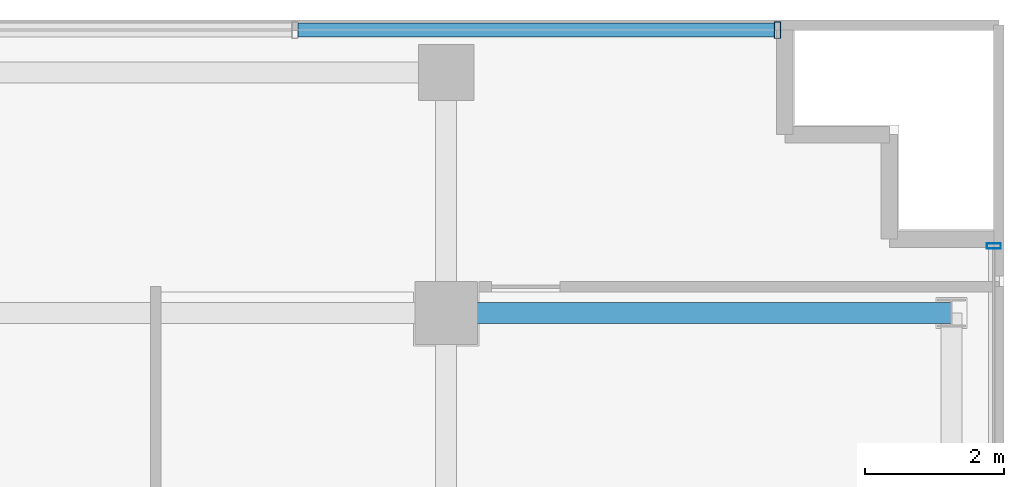
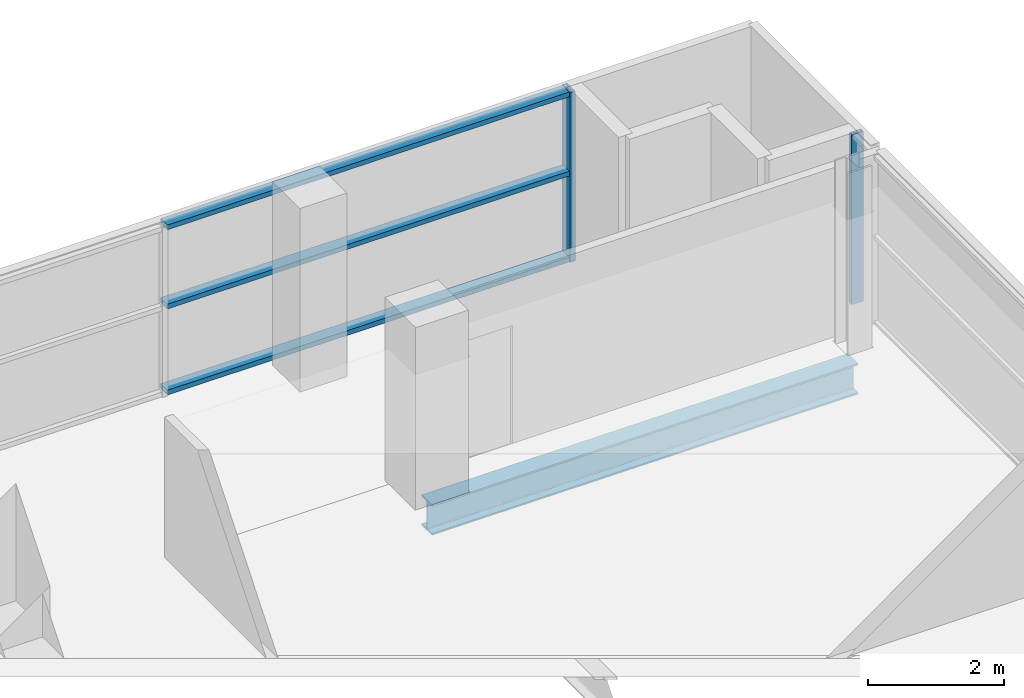
# One storey, part 13 of 23: 5 members, 1 beam, 2 elements without a shape of their own.
"""IFC4 building model written with IfcOpenShell, lengths in metres."""

from ifc_helpers import new_model, si_unit, direction, frame, origin, origin_2d, place, context, subcontext, project, spatial, hollow_rectangle, i_section, extrude, source, transform, mapped, material, layer, layer_set, material_profile, profile_set, type_object, element, aggregate, save


model = new_model("IFC4")

# Units and contexts
model_context = context("Model", 3, precision=1e-05, world=origin(), true_north=direction((0.0, 1.0)))
body_context = subcontext(model_context, "Body", "Model", "MODEL_VIEW")
ifc_project = project(units=[si_unit("LENGTHUNIT", "METRE"), si_unit("AREAUNIT", "SQUARE_METRE"), si_unit("VOLUMEUNIT", "CUBIC_METRE"), si_unit("PLANEANGLEUNIT", "RADIAN"), si_unit("MASSUNIT", "GRAM", prefix="KILO")], contexts=[model_context])

# Site, building, storey
site_placement = place(None, origin())
site = spatial("IfcSite", under=ifc_project, at=site_placement, CompositionType="ELEMENT")
building_placement = place(site_placement, origin())
building = spatial("IfcBuilding", under=site, at=building_placement, Name="Zarnakvel Exchange Tower", CompositionType="ELEMENT")
storey_placement = place(building_placement, frame((0.0, 0.0, 129.699951171875)))
storey = spatial("IfcBuildingStorey", under=building, at=storey_placement, Name="L36", CompositionType="ELEMENT", Elevation=129.699951171875)

# Beam
ifc_material_1 = material(Name="Steel S355", Category="steel")
ifc_material_profile_1 = material_profile(ifc_material_1, i_section(OverallWidth=0.300048828125, OverallDepth=0.550048828125, WebThickness=0.014892578125, FlangeThickness=0.029052734375, FilletRadius=0.027099609375, at=origin_2d()))
ifc_profile_set_1 = profile_set([ifc_material_profile_1], Name="Steel S355")
beam_type = type_object("IfcBeamType", Name="G-05", PredefinedType="BEAM", material=ifc_profile_set_1)
beam_placement = place(storey_placement, frame((21.60009765625, 13.5, -0.5), z_axis=(1.0, 0.0, 0.0), x_axis=(0.0, 1.0, 0.0)))
element("IfcBeam", 1, at=beam_placement, inside=storey, type_object=beam_type, Name="L36 Tower E-W Frame Beam", PredefinedType="BEAM", context=body_context, shape_type="SweptSolid", body=[
    extrude(i_section(OverallWidth=0.300048828125, OverallDepth=0.550048828125, WebThickness=0.014892578125, FlangeThickness=0.029052734375, FilletRadius=0.027099609375, at=origin_2d()), origin(), (0.0, 0.0, 1.0), 7.25),
])

# Curtain wall, member
ifc_material_2 = material(Name="Architectural Bronze Anodised Aluminium", Category="aluminium")
ifc_layer_1 = layer(ifc_material_2, 0.239990234375)
ifc_layer_set_1 = layer_set([ifc_layer_1], Name="Architectural Bronze Anodised Aluminium")
curtain_wall_type_1 = type_object("IfcCurtainWallType", Name="CW-02", PredefinedType="NOTDEFINED", material=ifc_layer_set_1)
curtain_wall_1_placement = place(storey_placement, origin())
curtain_wall_1 = element("IfcCurtainWall", 2, at=curtain_wall_1_placement, inside=storey, type_object=curtain_wall_type_1, Name="L36 Curtain Wall CW-L36-N1 (CW-02)", PredefinedType="NOTDEFINED")
ifc_material_profile_2 = material_profile(ifc_material_2, hollow_rectangle(XDim=0.239990234375, YDim=0.090087890625, WallThickness=0.006103515625, at=origin_2d()))
ifc_profile_set_2 = profile_set([ifc_material_profile_2], Name="Architectural Bronze Anodised Aluminium")
member_type_1 = type_object("IfcMemberType", Name="CWM-02", PredefinedType="MULLION", material=ifc_profile_set_2)
shared_shape_1 = source(origin(), body_context, "Body", "SweptSolid", [
    extrude(hollow_rectangle(XDim=0.239990234375, YDim=0.090087890625, WallThickness=0.006103515625, at=origin_2d()), origin(), (0.0, 0.0, 1.0), 3.054931640625),
])
member_1_placement = place(storey_placement, frame((26.35498046875, 17.56005859375, 0.0), z_axis=(0.0, 0.0, 1.0), x_axis=(0.0, 1.0, 0.0)))
member_1 = element("IfcMember", 3, at=member_1_placement, type_object=member_type_1, Name="CW-02 mullion 8", PredefinedType="MULLION", context=body_context, shape_type="MappedRepresentation", body=[
    mapped(shared_shape_1, transform((0.0, 0.0, 0.0), x_axis=(1.0, 0.0, 0.0), y_axis=(0.0, 1.0, 0.0), z_axis=(0.0, 0.0, 1.0), scale=1.0)),
])

ifc_layer_2 = layer(ifc_material_2, 0.199951171875)
ifc_layer_set_2 = layer_set([ifc_layer_2], Name="Architectural Bronze Anodised Aluminium")
curtain_wall_type_2 = type_object("IfcCurtainWallType", Name="CW-04", PredefinedType="NOTDEFINED", material=ifc_layer_set_2)
curtain_wall_2_placement = place(storey_placement, origin())
curtain_wall_2 = element("IfcCurtainWall", 4, at=curtain_wall_2_placement, inside=storey, type_object=curtain_wall_type_2, Name="L36 Curtain Wall CW-L36-E1 (CW-04)", PredefinedType="NOTDEFINED")
ifc_material_profile_3 = material_profile(ifc_material_2, hollow_rectangle(XDim=0.199951171875, YDim=0.074951171875, WallThickness=0.0048828125, at=origin_2d()))
ifc_profile_set_3 = profile_set([ifc_material_profile_3], Name="Architectural Bronze Anodised Aluminium")
member_type_2 = type_object("IfcMemberType", Name="CWM-04", PredefinedType="MULLION", material=ifc_profile_set_3)
shared_shape_2 = source(origin(), body_context, "Body", "SweptSolid", [
    extrude(hollow_rectangle(XDim=0.199951171875, YDim=0.074951171875, WallThickness=0.0048828125, at=origin_2d()), origin(), (0.0, 0.0, 1.0), 3.054931640625),
])
member_2_placement = place(storey_placement, frame((29.4599609375, 14.46240234375, 0.0), z_axis=(0.0, 0.0, 1.0), x_axis=(-1.0, 0.0, 0.0)))
member_2 = element("IfcMember", 5, at=member_2_placement, type_object=member_type_2, Name="CW-04 mullion 5", PredefinedType="MULLION", context=body_context, shape_type="MappedRepresentation", body=[
    mapped(shared_shape_2, transform((0.0, 0.0, 0.0), x_axis=(1.0, 0.0, 0.0), y_axis=(0.0, 1.0, 0.0), z_axis=(0.0, 0.0, 1.0), scale=1.0)),
])
aggregate(curtain_wall_2, [member_2])

# Member
ifc_material_profile_4 = material_profile(ifc_material_2, hollow_rectangle(XDim=0.199951171875, YDim=0.0849609375, WallThickness=0.0048828125, at=origin_2d()))
ifc_profile_set_4 = profile_set([ifc_material_profile_4], Name="Architectural Bronze Anodised Aluminium")
member_type_3 = type_object("IfcMemberType", Name="CWT-02", PredefinedType="USERDEFINED", material=ifc_profile_set_4)
shared_shape_3 = source(origin(), body_context, "Body", "SweptSolid", [
    extrude(hollow_rectangle(XDim=0.199951171875, YDim=0.0849609375, WallThickness=0.0048828125, at=origin_2d()), origin(), (0.0, 0.0, 1.0), 6.83642578125),
])
member_3_placement = place(storey_placement, frame((19.4736328125, 17.56005859375, 0.04248046875), z_axis=(1.0, 0.0, 0.0), x_axis=(0.0, 1.0, 0.0)))
member_3 = element("IfcMember", 6, at=member_3_placement, type_object=member_type_3, Name="CW-02 transom 7.1", ObjectType="TRANSOM", PredefinedType="USERDEFINED", context=body_context, shape_type="MappedRepresentation", body=[
    mapped(shared_shape_3, transform((0.0, 0.0, 0.0), x_axis=(1.0, 0.0, 0.0), y_axis=(0.0, 1.0, 0.0), z_axis=(0.0, 0.0, 1.0), scale=1.0)),
])

member_4_placement = place(storey_placement, frame((19.4736328125, 17.56005859375, 1.588623046875), z_axis=(1.0, 0.0, 0.0), x_axis=(0.0, 1.0, 0.0)))
member_4 = element("IfcMember", 7, at=member_4_placement, type_object=member_type_3, Name="CW-02 transom 7.2", ObjectType="TRANSOM", PredefinedType="USERDEFINED", context=body_context, shape_type="MappedRepresentation", body=[
    mapped(shared_shape_3, transform((0.0, 0.0, 0.0), x_axis=(1.0, 0.0, 0.0), y_axis=(0.0, 1.0, 0.0), z_axis=(0.0, 0.0, 1.0), scale=1.0)),
])

member_5_placement = place(storey_placement, frame((19.4736328125, 17.56005859375, 3.012451171875), z_axis=(1.0, 0.0, 0.0), x_axis=(0.0, 1.0, 0.0)))
member_5 = element("IfcMember", 8, at=member_5_placement, type_object=member_type_3, Name="CW-02 transom 7.3", ObjectType="TRANSOM", PredefinedType="USERDEFINED", context=body_context, shape_type="MappedRepresentation", body=[
    mapped(shared_shape_3, transform((0.0, 0.0, 0.0), x_axis=(1.0, 0.0, 0.0), y_axis=(0.0, 1.0, 0.0), z_axis=(0.0, 0.0, 1.0), scale=1.0)),
])

aggregate(curtain_wall_1, [member_1, member_3, member_4, member_5])

save(model, "model.ifc")
